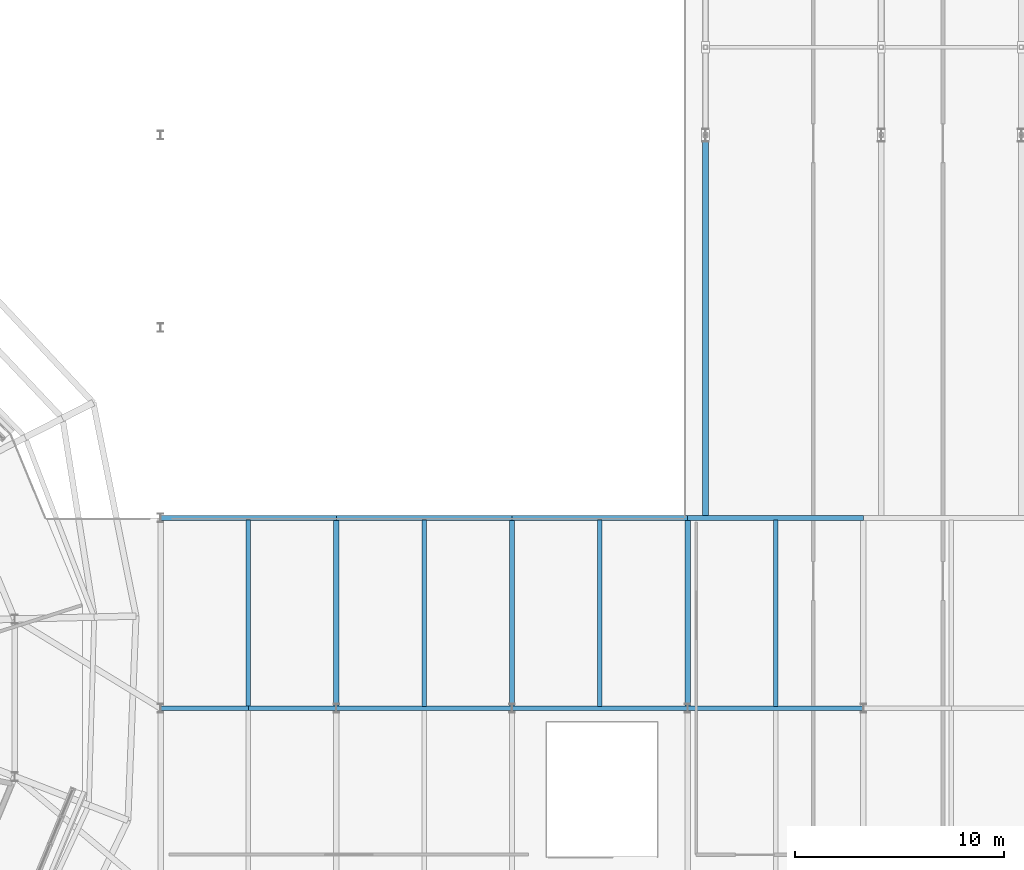
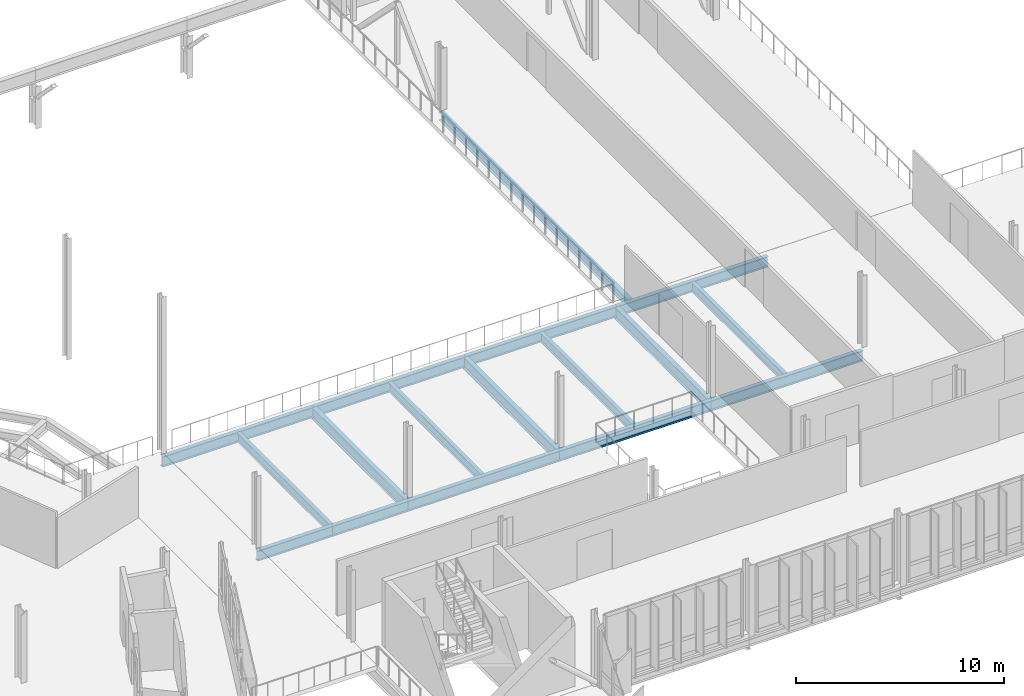
# One storey, part 51 of 107: 17 beams.
"""IFC4 building model written with IfcOpenShell, lengths in metres."""

from ifc_helpers import new_model, si_unit, derived_unit, direction, frame, origin, origin_2d, place, context, subcontext, project, spatial, i_section, extrude, material, material_profile, profile_set, type_object, element, save


model = new_model("IFC4")

# Units and contexts
model_context = context("Model", 3, precision=1e-05, world=origin(), true_north=direction((0.0, 1.0)))
body_context = subcontext(model_context, "Body", "Model", "MODEL_VIEW")
ifc_project = project(units=[si_unit("LENGTHUNIT", "METRE"), si_unit("AREAUNIT", "SQUARE_METRE"), si_unit("VOLUMEUNIT", "CUBIC_METRE"), si_unit("PLANEANGLEUNIT", "RADIAN"), si_unit("MASSUNIT", "GRAM", prefix="KILO"), derived_unit("THERMALTRANSMITTANCEUNIT", [(si_unit("MASSUNIT", "GRAM", prefix="KILO"), 1), (si_unit("TIMEUNIT", "SECOND"), -3), (si_unit("THERMODYNAMICTEMPERATUREUNIT", "KELVIN"), -1)])], contexts=[model_context])

# Site, building, storey
site_placement = place(None, origin())
site = spatial("IfcSite", under=ifc_project, at=site_placement, CompositionType="ELEMENT")
building_placement = place(site_placement, origin())
building = spatial("IfcBuilding", under=site, at=building_placement, Name="Makaiwela Harbour Ferry Terminal", CompositionType="ELEMENT")
storey_placement = place(building_placement, frame((0.0, 0.0, 9.60009765625)))
storey = spatial("IfcBuildingStorey", under=building, at=storey_placement, Name="L02", CompositionType="ELEMENT", Elevation=9.60009765625)

# Beams
ifc_material = material(Name="Steel ASTM A992 Grade 50", Category="steel")
ifc_material_profile_1 = material_profile(ifc_material, i_section(OverallWidth=0.280029296875, OverallDepth=0.462890625, WebThickness=0.0107421875, FlangeThickness=0.017333984375, at=origin_2d()), Name="W18X76")
ifc_profile_set_1 = profile_set([ifc_material_profile_1], Name="Steel ASTM A992 Grade 50")
beam_type_1 = type_object("IfcBeamType", Name="STR-BM-W18X76", PredefinedType="BEAM", material=ifc_profile_set_1)
beam_1_placement = place(storey_placement, frame((89.050048828125, 76.699951171875, -0.49169921875), z_axis=(0.0, 1.0, 0.0), x_axis=(-1.0, 0.0, 0.0)))
element("IfcBeam", 1, at=beam_1_placement, inside=storey, type_object=beam_type_1, Name="North bridge backspan girder 241", PredefinedType="BEAM", context=body_context, shape_type="SweptSolid", body=[
    extrude(i_section(OverallWidth=0.280029296875, OverallDepth=0.462890625, WebThickness=0.0107421875, FlangeThickness=0.017333984375, at=origin_2d()), origin(), (0.0, 0.0, 1.0), 18.300048828125),
])
ifc_material_profile_2 = material_profile(ifc_material, i_section(OverallWidth=0.2099609375, OverallDepth=0.537109375, WebThickness=0.010986328125, FlangeThickness=0.017333984375, at=origin_2d()), Name="W21X68")
ifc_profile_set_2 = profile_set([ifc_material_profile_2], Name="Steel ASTM A992 Grade 50")
beam_type_2 = type_object("IfcBeamType", Name="STR-BM-W21X68", PredefinedType="BEAM", material=ifc_profile_set_2)
for number, where, z_axis, x_axis, name in (
    (2, (67.199951171875, 67.696533203125, -0.528564453125), (0.0, 1.0, 0.0), (-1.0, 0.0, 0.0), "Secondary floor beam 1471"),
    (3, (75.60009765625, 67.696533203125, -0.528564453125), (0.0, 1.0, 0.0), (-1.0, 0.0, 0.0), "Secondary floor beam 1478"),
    (4, (84.0, 67.696533203125, -0.528564453125), (0.0, 1.0, 0.0), (-1.0, 0.0, 0.0), "Secondary floor beam 1484"),
    (5, (92.39990234375, 67.696533203125, -0.528564453125), (0.0, 1.0, 0.0), (-1.0, 0.0, 0.0), "Secondary floor beam 1491"),
):
    element("IfcBeam", number, at=place(storey_placement, frame(where, z_axis=z_axis, x_axis=x_axis)), inside=storey, type_object=beam_type_2, Name=name, PredefinedType="BEAM", context=body_context, shape_type="SweptSolid", body=[
        extrude(i_section(OverallWidth=0.2099609375, OverallDepth=0.537109375, WebThickness=0.010986328125, FlangeThickness=0.017333984375, at=origin_2d()), origin(), (0.0, 0.0, 1.0), 8.906982421875),
    ])
ifc_material_profile_3 = material_profile(ifc_material, i_section(OverallWidth=0.22900390625, OverallDepth=0.612060546875, WebThickness=0.011962890625, FlangeThickness=0.01953125, at=origin_2d()), Name="W24X84")
ifc_profile_set_3 = profile_set([ifc_material_profile_3], Name="Steel ASTM A992 Grade 50")
beam_type_3 = type_object("IfcBeamType", Name="STR-GRD-W24X84", PredefinedType="USERDEFINED", material=ifc_profile_set_3)
for number, where, z_axis, x_axis, name in (
    (6, (63.0, 67.60009765625, -0.566162109375), (1.0, 0.0, 0.0), (0.0, 1.0, 0.0), "Primary X girder 1310"),
    (7, (67.199951171875, 67.60009765625, -0.566162109375), (1.0, 0.0, 0.0), (0.0, 1.0, 0.0), "Primary X girder 1311"),
):
    element("IfcBeam", number, at=place(storey_placement, frame(where, z_axis=z_axis, x_axis=x_axis)), inside=storey, type_object=beam_type_3, Name=name, ObjectType="GIRDER", PredefinedType="USERDEFINED", context=body_context, shape_type="SweptSolid", body=[
        extrude(i_section(OverallWidth=0.22900390625, OverallDepth=0.612060546875, WebThickness=0.011962890625, FlangeThickness=0.01953125, at=origin_2d()), origin(), (0.0, 0.0, 1.0), 4.199951171875),
    ])
beam_2_placement = place(storey_placement, frame((71.39990234375, 67.60009765625, -0.566162109375), z_axis=(1.0, 0.0, 0.0), x_axis=(0.0, 1.0, 0.0)))
element("IfcBeam", 8, at=beam_2_placement, inside=storey, type_object=beam_type_3, Name="Primary X girder 1312", ObjectType="GIRDER", PredefinedType="USERDEFINED", context=body_context, shape_type="SweptSolid", body=[
    extrude(i_section(OverallWidth=0.22900390625, OverallDepth=0.612060546875, WebThickness=0.011962890625, FlangeThickness=0.01953125, at=origin_2d()), origin(), (0.0, 0.0, 1.0), 8.400146484375),
])
beam_3_placement = place(storey_placement, frame((79.800048828125, 67.60009765625, -0.566162109375), z_axis=(1.0, 0.0, 0.0), x_axis=(0.0, 1.0, 0.0)))
element("IfcBeam", 9, at=beam_3_placement, inside=storey, type_object=beam_type_3, Name="Primary X girder 1313", ObjectType="GIRDER", PredefinedType="USERDEFINED", context=body_context, shape_type="SweptSolid", body=[
    extrude(i_section(OverallWidth=0.22900390625, OverallDepth=0.612060546875, WebThickness=0.011962890625, FlangeThickness=0.01953125, at=origin_2d()), origin(), (0.0, 0.0, 1.0), 8.39990234375),
])
beam_4_placement = place(storey_placement, frame((88.199951171875, 67.60009765625, -0.566162109375), z_axis=(1.0, 0.0, 0.0), x_axis=(0.0, 1.0, 0.0)))
element("IfcBeam", 10, at=beam_4_placement, inside=storey, type_object=beam_type_3, Name="Primary X girder 1314", ObjectType="GIRDER", PredefinedType="USERDEFINED", context=body_context, shape_type="SweptSolid", body=[
    extrude(i_section(OverallWidth=0.22900390625, OverallDepth=0.612060546875, WebThickness=0.011962890625, FlangeThickness=0.01953125, at=origin_2d()), origin(), (0.0, 0.0, 1.0), 8.400146484375),
])
beam_5_placement = place(storey_placement, frame((63.0, 76.699951171875, -0.566162109375), z_axis=(1.0, 0.0, 0.0), x_axis=(0.0, 1.0, 0.0)))
element("IfcBeam", 11, at=beam_5_placement, inside=storey, type_object=beam_type_3, Name="Primary X girder 1328", ObjectType="GIRDER", PredefinedType="USERDEFINED", context=body_context, shape_type="SweptSolid", body=[
    extrude(i_section(OverallWidth=0.22900390625, OverallDepth=0.612060546875, WebThickness=0.011962890625, FlangeThickness=0.01953125, at=origin_2d()), origin(), (0.0, 0.0, 1.0), 8.39990234375),
])
beam_6_placement = place(storey_placement, frame((71.39990234375, 76.699951171875, -0.566162109375), z_axis=(1.0, 0.0, 0.0), x_axis=(0.0, 1.0, 0.0)))
element("IfcBeam", 12, at=beam_6_placement, inside=storey, type_object=beam_type_3, Name="Primary X girder 1329", ObjectType="GIRDER", PredefinedType="USERDEFINED", context=body_context, shape_type="SweptSolid", body=[
    extrude(i_section(OverallWidth=0.22900390625, OverallDepth=0.612060546875, WebThickness=0.011962890625, FlangeThickness=0.01953125, at=origin_2d()), origin(), (0.0, 0.0, 1.0), 8.400146484375),
])
beam_7_placement = place(storey_placement, frame((79.800048828125, 76.699951171875, -0.566162109375), z_axis=(1.0, 0.0, 0.0), x_axis=(0.0, 1.0, 0.0)))
element("IfcBeam", 13, at=beam_7_placement, inside=storey, type_object=beam_type_3, Name="Primary X girder 1330", ObjectType="GIRDER", PredefinedType="USERDEFINED", context=body_context, shape_type="SweptSolid", body=[
    extrude(i_section(OverallWidth=0.22900390625, OverallDepth=0.612060546875, WebThickness=0.011962890625, FlangeThickness=0.01953125, at=origin_2d()), origin(), (0.0, 0.0, 1.0), 8.39990234375),
])
beam_8_placement = place(storey_placement, frame((88.199951171875, 76.699951171875, -0.566162109375), z_axis=(1.0, 0.0, 0.0), x_axis=(0.0, 1.0, 0.0)))
element("IfcBeam", 14, at=beam_8_placement, inside=storey, type_object=beam_type_3, Name="Primary X girder 1331", ObjectType="GIRDER", PredefinedType="USERDEFINED", context=body_context, shape_type="SweptSolid", body=[
    extrude(i_section(OverallWidth=0.22900390625, OverallDepth=0.612060546875, WebThickness=0.011962890625, FlangeThickness=0.01953125, at=origin_2d()), origin(), (0.0, 0.0, 1.0), 8.400146484375),
])
ifc_material_profile_4 = material_profile(ifc_material, i_section(OverallWidth=0.256103515625, OverallDepth=0.693115234375, WebThickness=0.014404296875, FlangeThickness=0.023681640625, at=origin_2d()), Name="W27X114")
ifc_profile_set_4 = profile_set([ifc_material_profile_4], Name="Steel ASTM A992 Grade 50")
beam_type_4 = type_object("IfcBeamType", Name="STR-GRD-W27X114", PredefinedType="USERDEFINED", material=ifc_profile_set_4)
for number, where, z_axis, x_axis, name in (
    (15, (71.39990234375, 67.60009765625, -0.606689453125), (0.0, 1.0, 0.0), (-1.0, 0.0, 0.0), "Primary Y girder 1372"),
    (16, (79.800048828125, 67.60009765625, -0.606689453125), (0.0, 1.0, 0.0), (-1.0, 0.0, 0.0), "Primary Y girder 1379"),
    (17, (88.199951171875, 67.60009765625, -0.606689453125), (0.0, 1.0, 0.0), (-1.0, 0.0, 0.0), "Primary Y girder 1386"),
):
    element("IfcBeam", number, at=place(storey_placement, frame(where, z_axis=z_axis, x_axis=x_axis)), inside=storey, type_object=beam_type_4, Name=name, ObjectType="GIRDER", PredefinedType="USERDEFINED", context=body_context, shape_type="SweptSolid", body=[
        extrude(i_section(OverallWidth=0.256103515625, OverallDepth=0.693115234375, WebThickness=0.014404296875, FlangeThickness=0.023681640625, at=origin_2d()), origin(), (0.0, 0.0, 1.0), 9.099853515625),
    ])

save(model, "model.ifc")
